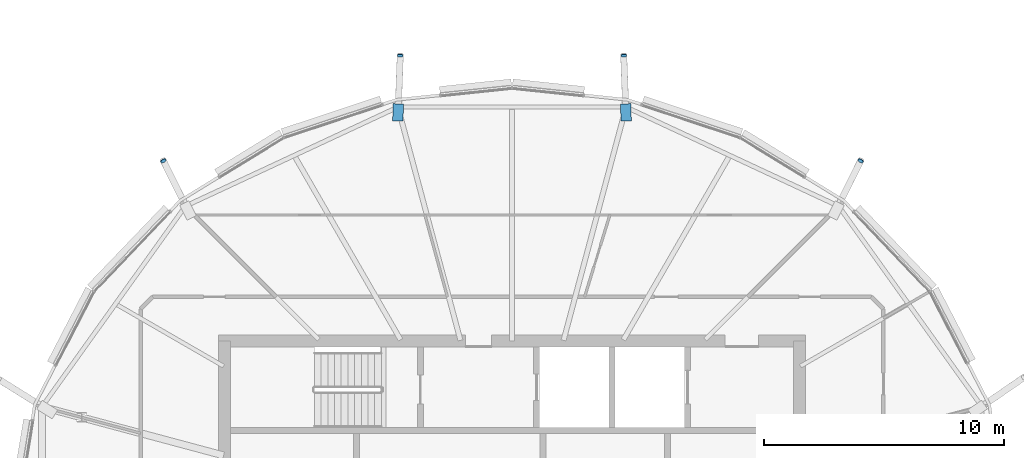
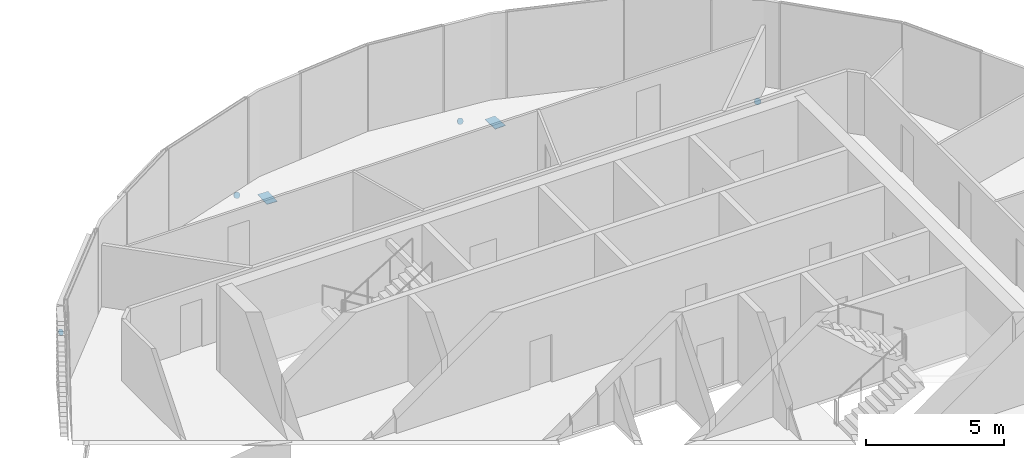
# One storey, part 25 of 35: 6 discrete accessories.
"""IFC4 building model written with IfcOpenShell, lengths in metres."""

from ifc_helpers import new_model, si_unit, direction, frame, origin, origin_2d, place, context, subcontext, project, spatial, polyline, rectangle, circle, outline, extrude, material, material_profile, profile_set, type_object, element, save


model = new_model("IFC4")

# Units and contexts
model_context = context("Model", 3, precision=1e-05, world=origin(), true_north=direction((0.0, 1.0)))
body_context = subcontext(model_context, "Body", "Model", "MODEL_VIEW")
ifc_project = project(units=[si_unit("LENGTHUNIT", "METRE"), si_unit("AREAUNIT", "SQUARE_METRE"), si_unit("VOLUMEUNIT", "CUBIC_METRE"), si_unit("PLANEANGLEUNIT", "RADIAN"), si_unit("MASSUNIT", "GRAM", prefix="KILO")], contexts=[model_context])

# Site, building, storey
site_placement = place(None, origin())
site = spatial("IfcSite", under=ifc_project, at=site_placement, CompositionType="ELEMENT")
building_placement = place(site_placement, origin())
building = spatial("IfcBuilding", under=site, at=building_placement, Name="Rimbun Link Towers", CompositionType="ELEMENT")
storey_placement = place(building_placement, frame((0.0, 0.0, 225.699951171875)))
storey = spatial("IfcBuildingStorey", under=building, at=storey_placement, Name="L55", CompositionType="ELEMENT", Elevation=225.699951171875)

# Discrete accessories
ifc_material_1 = material(Name="Steel S355J2H", Category="steel")
ifc_material_profile_1 = material_profile(ifc_material_1, circle(Radius=0.1240234375, at=origin_2d()), Name="PL D248")
ifc_profile_set_1 = profile_set([ifc_material_profile_1], Name="Steel S355J2H")
discrete_accessory_type_1 = type_object("IfcDiscreteAccessoryType", Name="Link foot sealing plate D248X20", PredefinedType="BRACKET", material=ifc_profile_set_1)
for number, where, z_axis, x_axis, name in (
    (1, (-17.201904296875, 15.517822265625, -1.949951171875), (0.376512047256, 0.765169644423, -0.522258646194), (-0.897257484736, 0.441507651219, 0.0), "Link foot sealing plate T1 L55 03"),
    (2, (-27.085205078125, 19.90966796875, -2.02734375), (-0.036788360369, 0.870657862069, -0.490511471588), (-0.999108513517, -0.042215852684, 0.0), "Link foot sealing plate T1 L55 05"),
    (3, (-36.414794921875, 19.90966796875, -2.02734375), (0.036788360369, 0.870657862069, -0.490511471588), (-0.999108513517, 0.042215852684, 0.0), "Link foot sealing plate T1 L55 07"),
    (4, (-46.298095703125, 15.517822265625, -1.949951171875), (-0.376512047256, 0.765169644423, -0.522258646194), (-0.897257484736, -0.441507651219, 0.0), "Link foot sealing plate T1 L55 09"),
):
    element("IfcDiscreteAccessory", number, at=place(storey_placement, frame(where, z_axis=z_axis, x_axis=x_axis)), inside=storey, type_object=discrete_accessory_type_1, Name=name, PredefinedType="BRACKET", context=body_context, shape_type="SweptSolid", body=[
        extrude(circle(Radius=0.1240234375, at=origin_2d()), origin(), (0.0, 0.0, 1.0), 0.02001953125),
    ])
ifc_material_2 = material(Name="Steel S355J2H", Category="steel")
ifc_material_profile_2 = material_profile(ifc_material_2, rectangle(XDim=0.43310546875, YDim=0.43310546875, at=origin_2d()), Name="PL 433x433")
ifc_profile_set_2 = profile_set([ifc_material_profile_2], Name="Steel S355J2H")
discrete_accessory_type_2 = type_object("IfcDiscreteAccessoryType", Name="Link head end plate 433X20", PredefinedType="BRACKET", material=ifc_profile_set_2)
discrete_accessory_1_placement = place(storey_placement, frame((0.0, 0.0, -0.693115234375)))
element("IfcDiscreteAccessory", 5, at=discrete_accessory_1_placement, inside=storey, type_object=discrete_accessory_type_2, Name="Link head end plate T1 L55 05", PredefinedType="BRACKET", context=body_context, shape_type="SweptSolid", body=[
    extrude(outline(polyline([(-26.765625, 17.1953125), (-26.792724609375, 17.91064453125), (-27.225341796875, 17.89404296875), (-27.1982421875, 17.1787109375), (-26.765625, 17.1953125)])), origin(), (0.0, 0.0, 1.0), 0.02001953125),
])
discrete_accessory_2_placement = place(storey_placement, frame((0.0, 0.0, -0.693115234375)))
element("IfcDiscreteAccessory", 6, at=discrete_accessory_2_placement, inside=storey, type_object=discrete_accessory_type_2, Name="Link head end plate T1 L55 07", PredefinedType="BRACKET", context=body_context, shape_type="SweptSolid", body=[
    extrude(outline(polyline([(-36.3017578125, 17.1787109375), (-36.274658203125, 17.89404296875), (-36.707275390625, 17.91064453125), (-36.734375, 17.1953125), (-36.3017578125, 17.1787109375)])), origin(), (0.0, 0.0, 1.0), 0.02001953125),
])

save(model, "model.ifc")
